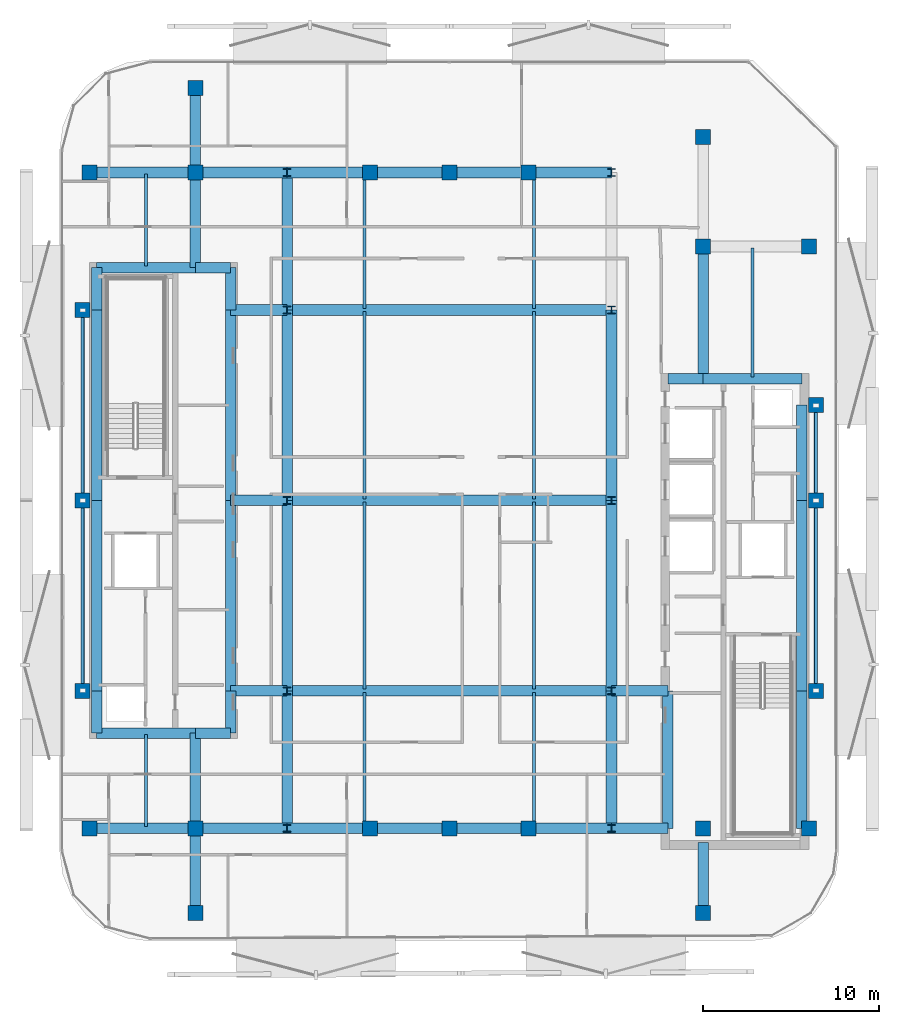
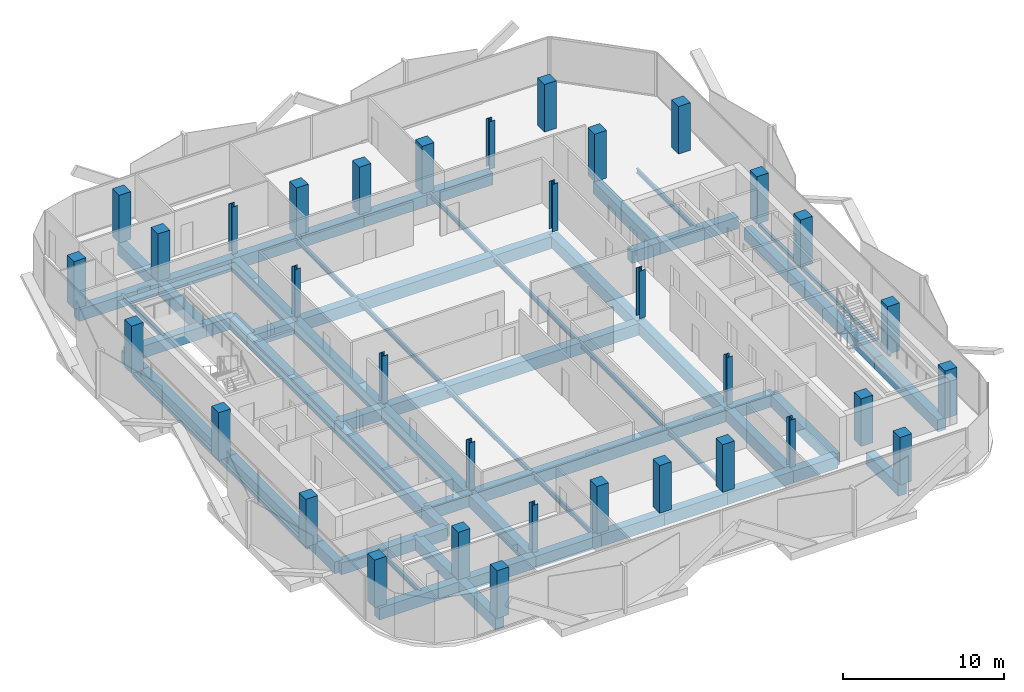
# One storey, part 1 of 14: 66 beams, 34 columns.
"""IFC4 building model written with IfcOpenShell, lengths in metres."""

import ifcopenshell
import ifcopenshell.guid

model = None  # the IFC model being written
_history = None  # IfcOwnerHistory: only IFC2X3 demands one
_inside = {}  # id of a spatial element -> (the spatial element, [elements in it])
_under = {}  # id of a project, library or spatial element -> (it, [spatial elements below it])
_declared = {}  # id of a project -> (the project, [libraries it declares])
_typed = {}  # id of a type object -> (the type object, [elements of that type])
_made_of = {}  # id of a material, layer set ... -> (it, [elements and type objects made of it])


def new_model(schema):
    """Start an empty IFC model of exactly this schema.

    Asked for "IFC4X3", IfcOpenShell would pick the latest addendum, in which some entities
    have other attributes; the version numbers below select the first issue.
    IFC2X3 requires an IfcOwnerHistory on every rooted entity: one is made here for all.
    """
    global model, _history
    if schema == "IFC4X3":
        model = ifcopenshell.file(schema_version=(4, 3, 0, 0))
    else:
        model = ifcopenshell.file(schema=schema)
    _inside.clear()
    _under.clear()
    _declared.clear()
    _typed.clear()
    _made_of.clear()
    _history = None
    if model.schema == "IFC2X3":
        org = make("IfcOrganization", Name="unknown")
        user = make(
            "IfcPersonAndOrganization",
            ThePerson=make("IfcPerson", FamilyName="unknown"),
            TheOrganization=org,
        )
        app = make(
            "IfcApplication",
            ApplicationDeveloper=org,
            Version="unknown",
            ApplicationFullName="unknown",
            ApplicationIdentifier="unknown",
        )
        _history = make(
            "IfcOwnerHistory",
            OwningUser=user,
            OwningApplication=app,
            ChangeAction="ADDED",
            CreationDate=0,
        )
    return model


def make(cls, **values):
    """One entity of the class cls with the attributes given. An attribute that is None is left unset."""
    return model.create_entity(
        cls, **{name: value for name, value in values.items() if value is not None}
    )


def rooted(cls, **values):
    """An entity with a GlobalId (a new one), such as an element, a storey or a relation."""
    return make(cls, GlobalId=ifcopenshell.guid.new(), OwnerHistory=_history, **values)


def si_unit(unit_type, name, prefix=None):
    """IfcSIUnit, for example si_unit("LENGTHUNIT", "METRE", prefix="MILLI")."""
    return make("IfcSIUnit", UnitType=unit_type, Prefix=prefix, Name=name)


def assignment(units):
    """IfcUnitAssignment: the units of a project."""
    return None if units is None else make("IfcUnitAssignment", Units=units)


def point(xyz):
    """IfcCartesianPoint."""
    return None if xyz is None else make("IfcCartesianPoint", Coordinates=xyz)


def direction(xyz):
    """IfcDirection."""
    return None if xyz is None else make("IfcDirection", DirectionRatios=xyz)


def frame(location, z_axis=None, x_axis=None):
    """IfcAxis2Placement3D, a coordinate frame: its origin and axes. An axis left out is left unset."""
    return make(
        "IfcAxis2Placement3D",
        Location=point(location),
        Axis=direction(z_axis),
        RefDirection=direction(x_axis),
    )


def frame_2d(location, x_axis=None):
    """IfcAxis2Placement2D, a coordinate frame in the plane: its origin and x axis."""
    return make(
        "IfcAxis2Placement2D", Location=point(location), RefDirection=direction(x_axis)
    )


def origin():
    """The frame at (0, 0, 0) with its axes left unset."""
    return frame((0.0, 0.0, 0.0))


def origin_2d():
    """The frame at (0, 0) in the plane with its x axis left unset."""
    return frame_2d((0.0, 0.0))


def place(relative_to, where):
    """IfcLocalPlacement: puts the frame where relative to a parent placement (None: the world)."""
    return make(
        "IfcLocalPlacement", PlacementRelTo=relative_to, RelativePlacement=where
    )


def context(
    kind, dimensions, precision=None, world=None, true_north=None, identifier=None
):
    """IfcGeometricRepresentationContext, for example the 3D "Model" context."""
    return make(
        "IfcGeometricRepresentationContext",
        ContextIdentifier=identifier,
        ContextType=kind,
        CoordinateSpaceDimension=dimensions,
        Precision=precision,
        WorldCoordinateSystem=world,
        TrueNorth=true_north,
    )


def subcontext(parent, identifier, kind, view, scale=None):
    """IfcGeometricRepresentationSubContext, for example "Body" below "Model"."""
    return make(
        "IfcGeometricRepresentationSubContext",
        ContextIdentifier=identifier,
        ContextType=kind,
        ParentContext=parent,
        TargetScale=scale,
        TargetView=view,
    )


def project(units=None, contexts=None):
    """IfcProject with its units and contexts."""
    return rooted(
        "IfcProject",
        Name="project",
        RepresentationContexts=contexts,
        UnitsInContext=assignment(units),
    )


def spatial(cls, under=None, at=None, **own):
    """A site, building, storey or space (cls), placed at a placement, below another one or the project."""
    s = rooted(cls, ObjectPlacement=at, **own)
    if under is not None:
        _under.setdefault(under.id(), (under, []))[1].append(s)
    return s


def profile(cls, at=None, kind="AREA", **sizes):
    """A parametric profile (cls). Its sizes go by their IFC names, for example OverallWidth=200.0."""
    return make(cls, ProfileType=kind, Position=at, **sizes)


def rectangle(**sizes):
    """IfcRectangleProfileDef."""
    return profile("IfcRectangleProfileDef", **sizes)


def hollow_rectangle(**sizes):
    """IfcRectangleHollowProfileDef."""
    return profile("IfcRectangleHollowProfileDef", **sizes)


def i_section(**sizes):
    """IfcIShapeProfileDef."""
    return profile("IfcIShapeProfileDef", **sizes)


def extrude(swept, where, along, depth):
    """IfcExtrudedAreaSolid: the profile swept, set in the frame where, extruded along a direction by depth."""
    return make(
        "IfcExtrudedAreaSolid",
        SweptArea=swept,
        Position=where,
        ExtrudedDirection=direction(along),
        Depth=depth,
    )


def shape(context_of_items, identifier, shape_type, items):
    """IfcShapeRepresentation: the items that make up one representation, for example the "Body"."""
    return make(
        "IfcShapeRepresentation",
        ContextOfItems=context_of_items,
        RepresentationIdentifier=identifier,
        RepresentationType=shape_type,
        Items=items,
    )


def material(Name=None, Category=None):
    """IfcMaterial."""
    return make("IfcMaterial", Name=Name, Category=Category)


def material_profile(
    of_material, cross_section, Name=None, Category=None, Priority=None
):
    """IfcMaterialProfile: a cross section and its material."""
    return make(
        "IfcMaterialProfile",
        Name=Name,
        Material=of_material,
        Profile=cross_section,
        Priority=Priority,
        Category=Category,
    )


def profile_set(profiles, Name=None, composite=None):
    """IfcMaterialProfileSet."""
    return make(
        "IfcMaterialProfileSet",
        Name=Name,
        MaterialProfiles=profiles,
        CompositeProfile=composite,
    )


def made_of(thing, what):
    """Note that an element or type object is made of a material, layer set ...; save() writes the relation."""
    if what is not None:
        _made_of.setdefault(what.id(), (what, []))[1].append(thing)
    return thing


def type_object(cls, material=None, **own):
    """A type object (cls), such as IfcWallType, which elements share."""
    return made_of(rooted(cls, **own), material)


def element(
    cls,
    number,
    at=None,
    inside=None,
    cuts=None,
    type_object=None,
    material=None,
    context=None,
    identifier="Body",
    shape_type=None,
    held_by="IfcProductDefinitionShape",
    body=None,
    shapes=None,
    **own,
):
    """One element of the class cls, such as IfcWall. Its Tag is "e" and its number.

    at: its placement. inside: the storey or other place that contains it. cuts: it is an
    opening in that element (IfcRelVoidsElement). A single representation is given by context,
    identifier, shape_type and body (its items); several are given by shapes. held_by: the class
    of the entity that holds the representations. save() writes the other relations.
    """
    e = rooted(cls, Tag="e%d" % number, ObjectPlacement=at, **own)
    if body is not None:
        shapes = [shape(context, identifier, shape_type, body)]
    if shapes is not None:
        e.Representation = make(held_by, Representations=shapes)
    if inside is not None:
        _inside.setdefault(inside.id(), (inside, []))[1].append(e)
    if cuts is not None:
        rooted(
            "IfcRelVoidsElement", RelatingBuildingElement=cuts, RelatedOpeningElement=e
        )
    if type_object is not None:
        _typed.setdefault(type_object.id(), (type_object, []))[1].append(e)
    return made_of(e, material)


def aggregate(whole, parts):
    """IfcRelAggregates: a whole, such as a stair, and the parts it consists of."""
    return rooted("IfcRelAggregates", RelatingObject=whole, RelatedObjects=parts)


def save(model, path):
    """Write the relations noted so far, then the file.

    IfcRelAggregates (storeys below a building ...), IfcRelContainedInSpatialStructure (elements
    in a storey), IfcRelDefinesByType, IfcRelAssociatesMaterial and IfcRelDeclares: one each for
    every whole, place, type object, material and project.
    """
    for whole, parts in _under.values():
        aggregate(whole, parts)
    for where, things in _inside.values():
        rooted(
            "IfcRelContainedInSpatialStructure",
            RelatedElements=things,
            RelatingStructure=where,
        )
    for kind, things in _typed.values():
        rooted("IfcRelDefinesByType", RelatedObjects=things, RelatingType=kind)
    for what, things in _made_of.values():
        rooted("IfcRelAssociatesMaterial", RelatedObjects=things, RelatingMaterial=what)
    for by, libraries in _declared.values():
        rooted("IfcRelDeclares", RelatingContext=by, RelatedDefinitions=libraries)
    model.write(path)


model = new_model("IFC4")

# Units and contexts
model_context = context("Model", 3, precision=1e-05, world=origin(), true_north=direction((0.0, 1.0)))
body_context = subcontext(model_context, "Body", "Model", "MODEL_VIEW")
ifc_project = project(units=[si_unit("LENGTHUNIT", "METRE"), si_unit("AREAUNIT", "SQUARE_METRE"), si_unit("VOLUMEUNIT", "CUBIC_METRE"), si_unit("PLANEANGLEUNIT", "RADIAN"), si_unit("MASSUNIT", "GRAM", prefix="KILO")], contexts=[model_context])

# Site, building, storey
site_placement = place(None, origin())
site = spatial("IfcSite", under=ifc_project, at=site_placement, CompositionType="ELEMENT")
building_placement = place(site_placement, origin())
building = spatial("IfcBuilding", under=site, at=building_placement, Name="Khairoan Windgate Tower", CompositionType="ELEMENT")
storey_placement = place(building_placement, frame((0.0, 0.0, 240.39990234375)))
storey = spatial("IfcBuildingStorey", under=building, at=storey_placement, Name="L56", CompositionType="ELEMENT", Elevation=240.39990234375)

# Columns
ifc_material_1 = material(Name="Concrete C50/60", Category="concrete")
ifc_material_profile_1 = material_profile(ifc_material_1, rectangle(XDim=0.85009765625, YDim=0.85009765625, at=origin_2d()))
ifc_profile_set_1 = profile_set([ifc_material_profile_1], Name="Concrete C50/60")
column_type_1 = type_object("IfcColumnType", Name="Column C-T5 RC850x850", PredefinedType="COLUMN", material=ifc_profile_set_1)
for number, where, z_axis, x_axis, name in (
    (1, (-20.39990234375, -18.60009765625, 0.0), (0.0, 0.0, 1.0), (1.0, 0.0, 0.0), "Column L56-11"),
    (2, (-20.39990234375, 18.60009765625, 0.0), (0.0, 0.0, 1.0), (1.0, 0.0, 0.0), "Column L56-12"),
    (3, (20.39990234375, -18.60009765625, 0.0), (0.0, 0.0, 1.0), (1.0, 0.0, 0.0), "Column L56-13"),
    (4, (20.39990234375, 14.39990234375, 0.0), (0.0, 0.0, 1.0), (1.0, 0.0, 0.0), "Column L56-14"),
    (5, (-14.39990234375, -18.60009765625, 0.0), (0.0, 0.0, 1.0), (1.0, 0.0, 0.0), "Column L56-15"),
    (6, (-14.39990234375, 18.60009765625, 0.0), (0.0, 0.0, 1.0), (1.0, 0.0, 0.0), "Column L56-16"),
    (7, (14.39990234375, -18.60009765625, 0.0), (0.0, 0.0, 1.0), (1.0, 0.0, 0.0), "Column L56-17"),
    (8, (14.39990234375, 14.39990234375, 0.0), (0.0, 0.0, 1.0), (1.0, 0.0, 0.0), "Column L56-18"),
    (9, (-4.5, -18.60009765625, 0.0), (0.0, 0.0, 1.0), (1.0, 0.0, 0.0), "Column L56-19"),
    (10, (0.0, -18.60009765625, 0.0), (0.0, 0.0, 1.0), (1.0, 0.0, 0.0), "Column L56-20"),
    (11, (4.5, -18.60009765625, 0.0), (0.0, 0.0, 1.0), (1.0, 0.0, 0.0), "Column L56-21"),
    (12, (-4.5, 18.60009765625, 0.0), (0.0, 0.0, 1.0), (1.0, 0.0, 0.0), "Column L56-22"),
    (13, (0.0, 18.60009765625, 0.0), (0.0, 0.0, 1.0), (1.0, 0.0, 0.0), "Column L56-23"),
    (14, (4.5, 18.60009765625, 0.0), (0.0, 0.0, 1.0), (1.0, 0.0, 0.0), "Column L56-24"),
    (15, (-20.800048828125, -10.800048828125, 0.0), (0.0, 0.0, 1.0), (1.0, 0.0, 0.0), "Column L56-25"),
    (16, (-20.800048828125, 0.0, 0.0), (0.0, 0.0, 1.0), (1.0, 0.0, 0.0), "Column L56-26"),
    (17, (-20.800048828125, 10.800048828125, 0.0), (0.0, 0.0, 1.0), (1.0, 0.0, 0.0), "Column L56-27"),
    (18, (20.800048828125, -10.800048828125, 0.0), (0.0, 0.0, 1.0), (1.0, 0.0, 0.0), "Column L56-28"),
    (19, (20.800048828125, 0.0, 0.0), (0.0, 0.0, 1.0), (1.0, 0.0, 0.0), "Column L56-29"),
    (20, (20.800048828125, 5.39990234375, 0.0), (0.0, 0.0, 1.0), (1.0, 0.0, 0.0), "Column L56-30"),
    (21, (-14.39990234375, -23.39990234375, 0.0), (0.0, 0.0, 1.0), (1.0, 0.0, 0.0), "Column L56-31"),
    (22, (-14.39990234375, 23.39990234375, 0.0), (0.0, 0.0, 1.0), (1.0, 0.0, 0.0), "Column L56-32"),
    (23, (14.39990234375, -23.39990234375, 0.0), (0.0, 0.0, 1.0), (1.0, 0.0, 0.0), "Column L56-33"),
    (24, (14.39990234375, 20.60009765625, 0.0), (0.0, 0.0, 1.0), (1.0, 0.0, 0.0), "Column L56-34"),
):
    element("IfcColumn", number, at=place(storey_placement, frame(where, z_axis=z_axis, x_axis=x_axis)), inside=storey, type_object=column_type_1, Name=name, PredefinedType="COLUMN", context=body_context, shape_type="SweptSolid", body=[
        extrude(rectangle(XDim=0.85009765625, YDim=0.85009765625, at=origin_2d()), origin(), (0.0, 0.0, 1.0), 3.60009765625),
    ])
ifc_material_2 = material(Name="Steel S355", Category="steel")
ifc_material_profile_2 = material_profile(ifc_material_2, i_section(OverallWidth=0.406982421875, OverallDepth=0.427978515625, WebThickness=0.02001953125, FlangeThickness=0.034912109375, FilletRadius=0.02197265625, at=origin_2d()))
ifc_profile_set_2 = profile_set([ifc_material_profile_2], Name="Steel S355")
column_type_2 = type_object("IfcColumnType", Name="Steel Column SC3 H428x407x20x35", PredefinedType="COLUMN", material=ifc_profile_set_2)
for number, where, z_axis, x_axis, name in (
    (25, (-9.199951171875, -18.60009765625, 0.0), (0.0, 0.0, 1.0), (1.0, 0.0, 0.0), "Column L56-01"),
    (26, (-9.199951171875, -10.800048828125, 0.0), (0.0, 0.0, 1.0), (1.0, 0.0, 0.0), "Column L56-02"),
    (27, (-9.199951171875, 0.0, 0.0), (0.0, 0.0, 1.0), (1.0, 0.0, 0.0), "Column L56-03"),
    (28, (-9.199951171875, 10.800048828125, 0.0), (0.0, 0.0, 1.0), (1.0, 0.0, 0.0), "Column L56-04"),
    (29, (-9.199951171875, 18.60009765625, 0.0), (0.0, 0.0, 1.0), (1.0, 0.0, 0.0), "Column L56-05"),
    (30, (9.199951171875, -18.60009765625, 0.0), (0.0, 0.0, 1.0), (1.0, 0.0, 0.0), "Column L56-06"),
    (31, (9.199951171875, -10.800048828125, 0.0), (0.0, 0.0, 1.0), (1.0, 0.0, 0.0), "Column L56-07"),
    (32, (9.199951171875, 0.0, 0.0), (0.0, 0.0, 1.0), (1.0, 0.0, 0.0), "Column L56-08"),
    (33, (9.199951171875, 10.800048828125, 0.0), (0.0, 0.0, 1.0), (1.0, 0.0, 0.0), "Column L56-09"),
    (34, (9.199951171875, 18.60009765625, 0.0), (0.0, 0.0, 1.0), (1.0, 0.0, 0.0), "Column L56-10"),
):
    element("IfcColumn", number, at=place(storey_placement, frame(where, z_axis=z_axis, x_axis=x_axis)), inside=storey, type_object=column_type_2, Name=name, PredefinedType="COLUMN", context=body_context, shape_type="SweptSolid", body=[
        extrude(i_section(OverallWidth=0.406982421875, OverallDepth=0.427978515625, WebThickness=0.02001953125, FlangeThickness=0.034912109375, FilletRadius=0.02197265625, at=origin_2d()), origin(), (0.0, 0.0, 1.0), 3.60009765625),
    ])

# Beams
ifc_material_3 = material(Name="Concrete C50/60", Category="concrete")
ifc_material_profile_3 = material_profile(ifc_material_3, rectangle(XDim=0.60009765625, YDim=0.89990234375, at=origin_2d()))
ifc_profile_set_3 = profile_set([ifc_material_profile_3], Name="Concrete C50/60")
beam_type_1 = type_object("IfcBeamType", Name="Beam B-RC1 RC600x900", PredefinedType="BEAM", material=ifc_profile_set_3)
beam_1_placement = place(storey_placement, frame((-20.39990234375, -18.60009765625, -0.7099609375), z_axis=(1.0, 0.0, 0.0), x_axis=(0.0, 1.0, 0.0)))
element("IfcBeam", 35, at=beam_1_placement, inside=storey, type_object=beam_type_1, Name="L56 E-W Primary Girder 01", PredefinedType="BEAM", context=body_context, shape_type="SweptSolid", body=[
    extrude(rectangle(XDim=0.60009765625, YDim=0.89990234375, at=origin_2d()), origin(), (0.0, 0.0, 1.0), 6.0),
])
beam_2_placement = place(storey_placement, frame((-14.39990234375, -18.60009765625, -0.7099609375), z_axis=(1.0, 0.0, 0.0), x_axis=(0.0, 1.0, 0.0)))
element("IfcBeam", 36, at=beam_2_placement, inside=storey, type_object=beam_type_1, Name="L56 E-W Primary Girder 02", PredefinedType="BEAM", context=body_context, shape_type="SweptSolid", body=[
    extrude(rectangle(XDim=0.60009765625, YDim=0.89990234375, at=origin_2d()), origin(), (0.0, 0.0, 1.0), 5.199951171875),
])
beam_3_placement = place(storey_placement, frame((-9.199951171875, -18.60009765625, -0.7099609375), z_axis=(1.0, 0.0, 0.0), x_axis=(0.0, 1.0, 0.0)))
element("IfcBeam", 37, at=beam_3_placement, inside=storey, type_object=beam_type_1, Name="L56 E-W Primary Girder 03", PredefinedType="BEAM", context=body_context, shape_type="SweptSolid", body=[
    extrude(rectangle(XDim=0.60009765625, YDim=0.89990234375, at=origin_2d()), origin(), (0.0, 0.0, 1.0), 4.699951171875),
])
for number, where, z_axis, x_axis, name in (
    (38, (-4.5, -18.60009765625, -0.7099609375), (1.0, 0.0, 0.0), (0.0, 1.0, 0.0), "L56 E-W Primary Girder 04"),
    (39, (0.0, -18.60009765625, -0.7099609375), (1.0, 0.0, 0.0), (0.0, 1.0, 0.0), "L56 E-W Primary Girder 05"),
):
    element("IfcBeam", number, at=place(storey_placement, frame(where, z_axis=z_axis, x_axis=x_axis)), inside=storey, type_object=beam_type_1, Name=name, PredefinedType="BEAM", context=body_context, shape_type="SweptSolid", body=[
        extrude(rectangle(XDim=0.60009765625, YDim=0.89990234375, at=origin_2d()), origin(), (0.0, 0.0, 1.0), 4.5),
    ])
beam_4_placement = place(storey_placement, frame((4.5, -18.60009765625, -0.7099609375), z_axis=(1.0, 0.0, 0.0), x_axis=(0.0, 1.0, 0.0)))
element("IfcBeam", 40, at=beam_4_placement, inside=storey, type_object=beam_type_1, Name="L56 E-W Primary Girder 06", PredefinedType="BEAM", context=body_context, shape_type="SweptSolid", body=[
    extrude(rectangle(XDim=0.60009765625, YDim=0.89990234375, at=origin_2d()), origin(), (0.0, 0.0, 1.0), 4.699951171875),
])
beam_5_placement = place(storey_placement, frame((9.199951171875, -18.60009765625, -0.7099609375), z_axis=(1.0, 0.0, 0.0), x_axis=(0.0, 1.0, 0.0)))
element("IfcBeam", 41, at=beam_5_placement, inside=storey, type_object=beam_type_1, Name="L56 E-W Primary Girder 07", PredefinedType="BEAM", context=body_context, shape_type="SweptSolid", body=[
    extrude(rectangle(XDim=0.60009765625, YDim=0.89990234375, at=origin_2d()), origin(), (0.0, 0.0, 1.0), 3.199951171875),
])
beam_6_placement = place(storey_placement, frame((-20.0, -13.199951171875, -0.7099609375), z_axis=(1.0, 0.0, 0.0), x_axis=(0.0, 1.0, 0.0)))
element("IfcBeam", 42, at=beam_6_placement, inside=storey, type_object=beam_type_1, Name="L56 E-W Primary Girder 08", PredefinedType="BEAM", context=body_context, shape_type="SweptSolid", body=[
    extrude(rectangle(XDim=0.60009765625, YDim=0.89990234375, at=origin_2d()), origin(), (0.0, 0.0, 1.0), 5.60009765625),
])
beam_7_placement = place(storey_placement, frame((-14.39990234375, -13.199951171875, -0.7099609375), z_axis=(1.0, 0.0, 0.0), x_axis=(0.0, 1.0, 0.0)))
element("IfcBeam", 43, at=beam_7_placement, inside=storey, type_object=beam_type_1, Name="L56 E-W Primary Girder 09", PredefinedType="BEAM", context=body_context, shape_type="SweptSolid", body=[
    extrude(rectangle(XDim=0.60009765625, YDim=0.89990234375, at=origin_2d()), origin(), (0.0, 0.0, 1.0), 2.0),
])
beam_8_placement = place(storey_placement, frame((-12.39990234375, -10.800048828125, -0.7099609375), z_axis=(1.0, 0.0, 0.0), x_axis=(0.0, 1.0, 0.0)))
element("IfcBeam", 44, at=beam_8_placement, inside=storey, type_object=beam_type_1, Name="L56 E-W Primary Girder 10", PredefinedType="BEAM", context=body_context, shape_type="SweptSolid", body=[
    extrude(rectangle(XDim=0.60009765625, YDim=0.89990234375, at=origin_2d()), origin(), (0.0, 0.0, 1.0), 3.199951171875),
])
beam_9_placement = place(storey_placement, frame((-9.199951171875, -10.800048828125, -0.7099609375), z_axis=(1.0, 0.0, 0.0), x_axis=(0.0, 1.0, 0.0)))
element("IfcBeam", 45, at=beam_9_placement, inside=storey, type_object=beam_type_1, Name="L56 E-W Primary Girder 11", PredefinedType="BEAM", context=body_context, shape_type="SweptSolid", body=[
    extrude(rectangle(XDim=0.60009765625, YDim=0.89990234375, at=origin_2d()), origin(), (0.0, 0.0, 1.0), 18.39990234375),
])
for number, where, z_axis, x_axis, name in (
    (46, (9.199951171875, -10.800048828125, -0.7099609375), (1.0, 0.0, 0.0), (0.0, 1.0, 0.0), "L56 E-W Primary Girder 12"),
    (47, (-12.39990234375, 0.0, -0.7099609375), (1.0, 0.0, 0.0), (0.0, 1.0, 0.0), "L56 E-W Primary Girder 13"),
):
    element("IfcBeam", number, at=place(storey_placement, frame(where, z_axis=z_axis, x_axis=x_axis)), inside=storey, type_object=beam_type_1, Name=name, PredefinedType="BEAM", context=body_context, shape_type="SweptSolid", body=[
        extrude(rectangle(XDim=0.60009765625, YDim=0.89990234375, at=origin_2d()), origin(), (0.0, 0.0, 1.0), 3.199951171875),
    ])
beam_10_placement = place(storey_placement, frame((-9.199951171875, 0.0, -0.7099609375), z_axis=(1.0, 0.0, 0.0), x_axis=(0.0, 1.0, 0.0)))
element("IfcBeam", 48, at=beam_10_placement, inside=storey, type_object=beam_type_1, Name="L56 E-W Primary Girder 14", PredefinedType="BEAM", context=body_context, shape_type="SweptSolid", body=[
    extrude(rectangle(XDim=0.60009765625, YDim=0.89990234375, at=origin_2d()), origin(), (0.0, 0.0, 1.0), 18.39990234375),
])
beam_11_placement = place(storey_placement, frame((12.39990234375, 6.89990234375, -0.7099609375), z_axis=(1.0, 0.0, 0.0), x_axis=(0.0, 1.0, 0.0)))
element("IfcBeam", 49, at=beam_11_placement, inside=storey, type_object=beam_type_1, Name="L56 E-W Primary Girder 15", PredefinedType="BEAM", context=body_context, shape_type="SweptSolid", body=[
    extrude(rectangle(XDim=0.60009765625, YDim=0.89990234375, at=origin_2d()), origin(), (0.0, 0.0, 1.0), 2.0),
])
beam_12_placement = place(storey_placement, frame((14.39990234375, 6.89990234375, -0.7099609375), z_axis=(1.0, 0.0, 0.0), x_axis=(0.0, 1.0, 0.0)))
element("IfcBeam", 50, at=beam_12_placement, inside=storey, type_object=beam_type_1, Name="L56 E-W Primary Girder 16", PredefinedType="BEAM", context=body_context, shape_type="SweptSolid", body=[
    extrude(rectangle(XDim=0.60009765625, YDim=0.89990234375, at=origin_2d()), origin(), (0.0, 0.0, 1.0), 5.60009765625),
])
beam_13_placement = place(storey_placement, frame((-12.39990234375, 10.800048828125, -0.7099609375), z_axis=(1.0, 0.0, 0.0), x_axis=(0.0, 1.0, 0.0)))
element("IfcBeam", 51, at=beam_13_placement, inside=storey, type_object=beam_type_1, Name="L56 E-W Primary Girder 17", PredefinedType="BEAM", context=body_context, shape_type="SweptSolid", body=[
    extrude(rectangle(XDim=0.60009765625, YDim=0.89990234375, at=origin_2d()), origin(), (0.0, 0.0, 1.0), 3.199951171875),
])
beam_14_placement = place(storey_placement, frame((-9.199951171875, 10.800048828125, -0.7099609375), z_axis=(1.0, 0.0, 0.0), x_axis=(0.0, 1.0, 0.0)))
element("IfcBeam", 52, at=beam_14_placement, inside=storey, type_object=beam_type_1, Name="L56 E-W Primary Girder 18", PredefinedType="BEAM", context=body_context, shape_type="SweptSolid", body=[
    extrude(rectangle(XDim=0.60009765625, YDim=0.89990234375, at=origin_2d()), origin(), (0.0, 0.0, 1.0), 18.39990234375),
])
beam_15_placement = place(storey_placement, frame((-20.0, 13.199951171875, -0.7099609375), z_axis=(1.0, 0.0, 0.0), x_axis=(0.0, 1.0, 0.0)))
element("IfcBeam", 53, at=beam_15_placement, inside=storey, type_object=beam_type_1, Name="L56 E-W Primary Girder 19", PredefinedType="BEAM", context=body_context, shape_type="SweptSolid", body=[
    extrude(rectangle(XDim=0.60009765625, YDim=0.89990234375, at=origin_2d()), origin(), (0.0, 0.0, 1.0), 5.60009765625),
])
beam_16_placement = place(storey_placement, frame((-14.39990234375, 13.199951171875, -0.7099609375), z_axis=(1.0, 0.0, 0.0), x_axis=(0.0, 1.0, 0.0)))
element("IfcBeam", 54, at=beam_16_placement, inside=storey, type_object=beam_type_1, Name="L56 E-W Primary Girder 20", PredefinedType="BEAM", context=body_context, shape_type="SweptSolid", body=[
    extrude(rectangle(XDim=0.60009765625, YDim=0.89990234375, at=origin_2d()), origin(), (0.0, 0.0, 1.0), 2.0),
])
beam_17_placement = place(storey_placement, frame((-20.39990234375, 18.60009765625, -0.7099609375), z_axis=(1.0, 0.0, 0.0), x_axis=(0.0, 1.0, 0.0)))
element("IfcBeam", 55, at=beam_17_placement, inside=storey, type_object=beam_type_1, Name="L56 E-W Primary Girder 22", PredefinedType="BEAM", context=body_context, shape_type="SweptSolid", body=[
    extrude(rectangle(XDim=0.60009765625, YDim=0.89990234375, at=origin_2d()), origin(), (0.0, 0.0, 1.0), 6.0),
])
beam_18_placement = place(storey_placement, frame((-14.39990234375, 18.60009765625, -0.7099609375), z_axis=(1.0, 0.0, 0.0), x_axis=(0.0, 1.0, 0.0)))
element("IfcBeam", 56, at=beam_18_placement, inside=storey, type_object=beam_type_1, Name="L56 E-W Primary Girder 23", PredefinedType="BEAM", context=body_context, shape_type="SweptSolid", body=[
    extrude(rectangle(XDim=0.60009765625, YDim=0.89990234375, at=origin_2d()), origin(), (0.0, 0.0, 1.0), 5.199951171875),
])
beam_19_placement = place(storey_placement, frame((-9.199951171875, 18.60009765625, -0.7099609375), z_axis=(1.0, 0.0, 0.0), x_axis=(0.0, 1.0, 0.0)))
element("IfcBeam", 57, at=beam_19_placement, inside=storey, type_object=beam_type_1, Name="L56 E-W Primary Girder 24", PredefinedType="BEAM", context=body_context, shape_type="SweptSolid", body=[
    extrude(rectangle(XDim=0.60009765625, YDim=0.89990234375, at=origin_2d()), origin(), (0.0, 0.0, 1.0), 4.699951171875),
])
for number, where, z_axis, x_axis, name in (
    (58, (-4.5, 18.60009765625, -0.7099609375), (1.0, 0.0, 0.0), (0.0, 1.0, 0.0), "L56 E-W Primary Girder 25"),
    (59, (0.0, 18.60009765625, -0.7099609375), (1.0, 0.0, 0.0), (0.0, 1.0, 0.0), "L56 E-W Primary Girder 26"),
):
    element("IfcBeam", number, at=place(storey_placement, frame(where, z_axis=z_axis, x_axis=x_axis)), inside=storey, type_object=beam_type_1, Name=name, PredefinedType="BEAM", context=body_context, shape_type="SweptSolid", body=[
        extrude(rectangle(XDim=0.60009765625, YDim=0.89990234375, at=origin_2d()), origin(), (0.0, 0.0, 1.0), 4.5),
    ])
beam_20_placement = place(storey_placement, frame((4.5, 18.60009765625, -0.7099609375), z_axis=(1.0, 0.0, 0.0), x_axis=(0.0, 1.0, 0.0)))
element("IfcBeam", 60, at=beam_20_placement, inside=storey, type_object=beam_type_1, Name="L56 E-W Primary Girder 27", PredefinedType="BEAM", context=body_context, shape_type="SweptSolid", body=[
    extrude(rectangle(XDim=0.60009765625, YDim=0.89990234375, at=origin_2d()), origin(), (0.0, 0.0, 1.0), 4.699951171875),
])
beam_21_placement = place(storey_placement, frame((-20.0, -13.199951171875, -0.7099609375), z_axis=(0.0, 1.0, 0.0), x_axis=(-1.0, 0.0, 0.0)))
element("IfcBeam", 61, at=beam_21_placement, inside=storey, type_object=beam_type_1, Name="L56 N-S Primary Beam 30", PredefinedType="BEAM", context=body_context, shape_type="SweptSolid", body=[
    extrude(rectangle(XDim=0.60009765625, YDim=0.89990234375, at=origin_2d()), origin(), (0.0, 0.0, 1.0), 2.39990234375),
])
for number, where, z_axis, x_axis, name in (
    (62, (-20.0, -10.800048828125, -0.7099609375), (0.0, 1.0, 0.0), (-1.0, 0.0, 0.0), "L56 N-S Primary Beam 31"),
    (63, (-20.0, 0.0, -0.7099609375), (0.0, 1.0, 0.0), (-1.0, 0.0, 0.0), "L56 N-S Primary Beam 32"),
):
    element("IfcBeam", number, at=place(storey_placement, frame(where, z_axis=z_axis, x_axis=x_axis)), inside=storey, type_object=beam_type_1, Name=name, PredefinedType="BEAM", context=body_context, shape_type="SweptSolid", body=[
        extrude(rectangle(XDim=0.60009765625, YDim=0.89990234375, at=origin_2d()), origin(), (0.0, 0.0, 1.0), 10.800048828125),
    ])
beam_22_placement = place(storey_placement, frame((-20.0, 10.800048828125, -0.7099609375), z_axis=(0.0, 1.0, 0.0), x_axis=(-1.0, 0.0, 0.0)))
element("IfcBeam", 64, at=beam_22_placement, inside=storey, type_object=beam_type_1, Name="L56 N-S Primary Beam 33", PredefinedType="BEAM", context=body_context, shape_type="SweptSolid", body=[
    extrude(rectangle(XDim=0.60009765625, YDim=0.89990234375, at=origin_2d()), origin(), (0.0, 0.0, 1.0), 2.39990234375),
])
beam_23_placement = place(storey_placement, frame((-14.39990234375, -23.39990234375, -0.7099609375), z_axis=(0.0, 1.0, 0.0), x_axis=(-1.0, 0.0, 0.0)))
element("IfcBeam", 65, at=beam_23_placement, inside=storey, type_object=beam_type_1, Name="L56 N-S Primary Beam 34", PredefinedType="BEAM", context=body_context, shape_type="SweptSolid", body=[
    extrude(rectangle(XDim=0.60009765625, YDim=0.89990234375, at=origin_2d()), origin(), (0.0, 0.0, 1.0), 4.7998046875),
])
for number, where, z_axis, x_axis, name in (
    (66, (-14.39990234375, -18.60009765625, -0.7099609375), (0.0, 1.0, 0.0), (-1.0, 0.0, 0.0), "L56 N-S Primary Beam 35"),
    (67, (-14.39990234375, 13.199951171875, -0.7099609375), (0.0, 1.0, 0.0), (-1.0, 0.0, 0.0), "L56 N-S Primary Beam 36"),
):
    element("IfcBeam", number, at=place(storey_placement, frame(where, z_axis=z_axis, x_axis=x_axis)), inside=storey, type_object=beam_type_1, Name=name, PredefinedType="BEAM", context=body_context, shape_type="SweptSolid", body=[
        extrude(rectangle(XDim=0.60009765625, YDim=0.89990234375, at=origin_2d()), origin(), (0.0, 0.0, 1.0), 5.400146484375),
    ])
beam_24_placement = place(storey_placement, frame((-14.39990234375, 18.60009765625, -0.7099609375), z_axis=(0.0, 1.0, 0.0), x_axis=(-1.0, 0.0, 0.0)))
element("IfcBeam", 68, at=beam_24_placement, inside=storey, type_object=beam_type_1, Name="L56 N-S Primary Beam 37", PredefinedType="BEAM", context=body_context, shape_type="SweptSolid", body=[
    extrude(rectangle(XDim=0.60009765625, YDim=0.89990234375, at=origin_2d()), origin(), (0.0, 0.0, 1.0), 4.7998046875),
])
beam_25_placement = place(storey_placement, frame((-12.39990234375, -13.199951171875, -0.7099609375), z_axis=(0.0, 1.0, 0.0), x_axis=(-1.0, 0.0, 0.0)))
element("IfcBeam", 69, at=beam_25_placement, inside=storey, type_object=beam_type_1, Name="L56 N-S Primary Beam 38", PredefinedType="BEAM", context=body_context, shape_type="SweptSolid", body=[
    extrude(rectangle(XDim=0.60009765625, YDim=0.89990234375, at=origin_2d()), origin(), (0.0, 0.0, 1.0), 2.39990234375),
])
for number, where, z_axis, x_axis, name in (
    (70, (-12.39990234375, -10.800048828125, -0.7099609375), (0.0, 1.0, 0.0), (-1.0, 0.0, 0.0), "L56 N-S Primary Beam 39"),
    (71, (-12.39990234375, 0.0, -0.7099609375), (0.0, 1.0, 0.0), (-1.0, 0.0, 0.0), "L56 N-S Primary Beam 40"),
):
    element("IfcBeam", number, at=place(storey_placement, frame(where, z_axis=z_axis, x_axis=x_axis)), inside=storey, type_object=beam_type_1, Name=name, PredefinedType="BEAM", context=body_context, shape_type="SweptSolid", body=[
        extrude(rectangle(XDim=0.60009765625, YDim=0.89990234375, at=origin_2d()), origin(), (0.0, 0.0, 1.0), 10.800048828125),
    ])
beam_26_placement = place(storey_placement, frame((-12.39990234375, 10.800048828125, -0.7099609375), z_axis=(0.0, 1.0, 0.0), x_axis=(-1.0, 0.0, 0.0)))
element("IfcBeam", 72, at=beam_26_placement, inside=storey, type_object=beam_type_1, Name="L56 N-S Primary Beam 41", PredefinedType="BEAM", context=body_context, shape_type="SweptSolid", body=[
    extrude(rectangle(XDim=0.60009765625, YDim=0.89990234375, at=origin_2d()), origin(), (0.0, 0.0, 1.0), 2.39990234375),
])
beam_27_placement = place(storey_placement, frame((-9.199951171875, -18.60009765625, -0.7099609375), z_axis=(0.0, 1.0, 0.0), x_axis=(-1.0, 0.0, 0.0)))
element("IfcBeam", 73, at=beam_27_placement, inside=storey, type_object=beam_type_1, Name="L56 N-S Primary Beam 42", PredefinedType="BEAM", context=body_context, shape_type="SweptSolid", body=[
    extrude(rectangle(XDim=0.60009765625, YDim=0.89990234375, at=origin_2d()), origin(), (0.0, 0.0, 1.0), 7.800048828125),
])
for number, where, z_axis, x_axis, name in (
    (74, (-9.199951171875, -10.800048828125, -0.7099609375), (0.0, 1.0, 0.0), (-1.0, 0.0, 0.0), "L56 N-S Primary Beam 43"),
    (75, (-9.199951171875, 0.0, -0.7099609375), (0.0, 1.0, 0.0), (-1.0, 0.0, 0.0), "L56 N-S Primary Beam 44"),
):
    element("IfcBeam", number, at=place(storey_placement, frame(where, z_axis=z_axis, x_axis=x_axis)), inside=storey, type_object=beam_type_1, Name=name, PredefinedType="BEAM", context=body_context, shape_type="SweptSolid", body=[
        extrude(rectangle(XDim=0.60009765625, YDim=0.89990234375, at=origin_2d()), origin(), (0.0, 0.0, 1.0), 10.800048828125),
    ])
for number, where, z_axis, x_axis, name in (
    (76, (-9.199951171875, 10.800048828125, -0.7099609375), (0.0, 1.0, 0.0), (-1.0, 0.0, 0.0), "L56 N-S Primary Beam 45"),
    (77, (9.199951171875, -18.60009765625, -0.7099609375), (0.0, 1.0, 0.0), (-1.0, 0.0, 0.0), "L56 N-S Primary Beam 46"),
):
    element("IfcBeam", number, at=place(storey_placement, frame(where, z_axis=z_axis, x_axis=x_axis)), inside=storey, type_object=beam_type_1, Name=name, PredefinedType="BEAM", context=body_context, shape_type="SweptSolid", body=[
        extrude(rectangle(XDim=0.60009765625, YDim=0.89990234375, at=origin_2d()), origin(), (0.0, 0.0, 1.0), 7.800048828125),
    ])
for number, where, z_axis, x_axis, name in (
    (78, (9.199951171875, -10.800048828125, -0.7099609375), (0.0, 1.0, 0.0), (-1.0, 0.0, 0.0), "L56 N-S Primary Beam 47"),
    (79, (9.199951171875, 0.0, -0.7099609375), (0.0, 1.0, 0.0), (-1.0, 0.0, 0.0), "L56 N-S Primary Beam 48"),
):
    element("IfcBeam", number, at=place(storey_placement, frame(where, z_axis=z_axis, x_axis=x_axis)), inside=storey, type_object=beam_type_1, Name=name, PredefinedType="BEAM", context=body_context, shape_type="SweptSolid", body=[
        extrude(rectangle(XDim=0.60009765625, YDim=0.89990234375, at=origin_2d()), origin(), (0.0, 0.0, 1.0), 10.800048828125),
    ])
beam_28_placement = place(storey_placement, frame((12.39990234375, -18.60009765625, -0.7099609375), z_axis=(0.0, 1.0, 0.0), x_axis=(-1.0, 0.0, 0.0)))
element("IfcBeam", 80, at=beam_28_placement, inside=storey, type_object=beam_type_1, Name="L56 N-S Primary Beam 50", PredefinedType="BEAM", context=body_context, shape_type="SweptSolid", body=[
    extrude(rectangle(XDim=0.60009765625, YDim=0.89990234375, at=origin_2d()), origin(), (0.0, 0.0, 1.0), 7.800048828125),
])
beam_29_placement = place(storey_placement, frame((14.39990234375, -23.39990234375, -0.7099609375), z_axis=(0.0, 1.0, 0.0), x_axis=(-1.0, 0.0, 0.0)))
element("IfcBeam", 81, at=beam_29_placement, inside=storey, type_object=beam_type_1, Name="L56 N-S Primary Beam 51", PredefinedType="BEAM", context=body_context, shape_type="SweptSolid", body=[
    extrude(rectangle(XDim=0.60009765625, YDim=0.89990234375, at=origin_2d()), origin(), (0.0, 0.0, 1.0), 4.0),
])
beam_30_placement = place(storey_placement, frame((14.39990234375, 6.89990234375, -0.7099609375), z_axis=(0.0, 1.0, 0.0), x_axis=(-1.0, 0.0, 0.0)))
element("IfcBeam", 82, at=beam_30_placement, inside=storey, type_object=beam_type_1, Name="L56 N-S Primary Beam 52", PredefinedType="BEAM", context=body_context, shape_type="SweptSolid", body=[
    extrude(rectangle(XDim=0.60009765625, YDim=0.89990234375, at=origin_2d()), origin(), (0.0, 0.0, 1.0), 7.5),
])
beam_31_placement = place(storey_placement, frame((20.0, -18.60009765625, -0.7099609375), z_axis=(0.0, 1.0, 0.0), x_axis=(-1.0, 0.0, 0.0)))
element("IfcBeam", 83, at=beam_31_placement, inside=storey, type_object=beam_type_1, Name="L56 N-S Primary Beam 54", PredefinedType="BEAM", context=body_context, shape_type="SweptSolid", body=[
    extrude(rectangle(XDim=0.60009765625, YDim=0.89990234375, at=origin_2d()), origin(), (0.0, 0.0, 1.0), 7.800048828125),
])
beam_32_placement = place(storey_placement, frame((20.0, -10.800048828125, -0.7099609375), z_axis=(0.0, 1.0, 0.0), x_axis=(-1.0, 0.0, 0.0)))
element("IfcBeam", 84, at=beam_32_placement, inside=storey, type_object=beam_type_1, Name="L56 N-S Primary Beam 55", PredefinedType="BEAM", context=body_context, shape_type="SweptSolid", body=[
    extrude(rectangle(XDim=0.60009765625, YDim=0.89990234375, at=origin_2d()), origin(), (0.0, 0.0, 1.0), 10.800048828125),
])
beam_33_placement = place(storey_placement, frame((20.0, 0.0, -0.7099609375), z_axis=(0.0, 1.0, 0.0), x_axis=(-1.0, 0.0, 0.0)))
element("IfcBeam", 85, at=beam_33_placement, inside=storey, type_object=beam_type_1, Name="L56 N-S Primary Beam 56", PredefinedType="BEAM", context=body_context, shape_type="SweptSolid", body=[
    extrude(rectangle(XDim=0.60009765625, YDim=0.89990234375, at=origin_2d()), origin(), (0.0, 0.0, 1.0), 5.39990234375),
])
ifc_material_4 = material(Name="Steel S355", Category="steel")
ifc_material_profile_4 = material_profile(ifc_material_4, i_section(OverallWidth=0.175048828125, OverallDepth=0.35009765625, WebThickness=0.007080078125, FlangeThickness=0.010986328125, FilletRadius=0.013916015625, at=origin_2d()))
ifc_profile_set_4 = profile_set([ifc_material_profile_4], Name="Steel S355")
beam_type_2 = type_object("IfcBeamType", Name="Beam J-S5 H350x175x7x11", PredefinedType="JOIST", material=ifc_profile_set_4)
for number, where, z_axis, x_axis, name in (
    (86, (-17.199951171875, -18.510009765625, -0.434814453125), (0.0, 1.0, 0.0), (-1.0, 0.0, 0.0), "L56 Secondary Floor Joist 01"),
    (87, (-17.199951171875, 13.2900390625, -0.434814453125), (0.0, 1.0, 0.0), (-1.0, 0.0, 0.0), "L56 Secondary Floor Joist 02"),
):
    element("IfcBeam", number, at=place(storey_placement, frame(where, z_axis=z_axis, x_axis=x_axis)), inside=storey, type_object=beam_type_2, Name=name, PredefinedType="JOIST", context=body_context, shape_type="SweptSolid", body=[
        extrude(i_section(OverallWidth=0.175048828125, OverallDepth=0.35009765625, WebThickness=0.007080078125, FlangeThickness=0.010986328125, FilletRadius=0.013916015625, at=origin_2d()), origin(), (0.0, 0.0, 1.0), 5.219970703125),
    ])
beam_34_placement = place(storey_placement, frame((-4.800048828125, -18.510009765625, -0.434814453125), z_axis=(0.0, 1.0, 0.0), x_axis=(-1.0, 0.0, 0.0)))
element("IfcBeam", 88, at=beam_34_placement, inside=storey, type_object=beam_type_2, Name="L56 Secondary Floor Joist 03", PredefinedType="JOIST", context=body_context, shape_type="SweptSolid", body=[
    extrude(i_section(OverallWidth=0.175048828125, OverallDepth=0.35009765625, WebThickness=0.007080078125, FlangeThickness=0.010986328125, FilletRadius=0.013916015625, at=origin_2d()), origin(), (0.0, 0.0, 1.0), 7.6201171875),
])
for number, where, z_axis, x_axis, name in (
    (89, (-4.800048828125, -10.7099609375, -0.434814453125), (0.0, 1.0, 0.0), (-1.0, 0.0, 0.0), "L56 Secondary Floor Joist 04"),
    (90, (-4.800048828125, 0.090087890625, -0.434814453125), (0.0, 1.0, 0.0), (-1.0, 0.0, 0.0), "L56 Secondary Floor Joist 05"),
):
    element("IfcBeam", number, at=place(storey_placement, frame(where, z_axis=z_axis, x_axis=x_axis)), inside=storey, type_object=beam_type_2, Name=name, PredefinedType="JOIST", context=body_context, shape_type="SweptSolid", body=[
        extrude(i_section(OverallWidth=0.175048828125, OverallDepth=0.35009765625, WebThickness=0.007080078125, FlangeThickness=0.010986328125, FilletRadius=0.013916015625, at=origin_2d()), origin(), (0.0, 0.0, 1.0), 10.619873046875),
    ])
for number, where, z_axis, x_axis, name in (
    (91, (-4.800048828125, 10.889892578125, -0.434814453125), (0.0, 1.0, 0.0), (-1.0, 0.0, 0.0), "L56 Secondary Floor Joist 06"),
    (92, (4.800048828125, -18.510009765625, -0.434814453125), (0.0, 1.0, 0.0), (-1.0, 0.0, 0.0), "L56 Secondary Floor Joist 07"),
):
    element("IfcBeam", number, at=place(storey_placement, frame(where, z_axis=z_axis, x_axis=x_axis)), inside=storey, type_object=beam_type_2, Name=name, PredefinedType="JOIST", context=body_context, shape_type="SweptSolid", body=[
        extrude(i_section(OverallWidth=0.175048828125, OverallDepth=0.35009765625, WebThickness=0.007080078125, FlangeThickness=0.010986328125, FilletRadius=0.013916015625, at=origin_2d()), origin(), (0.0, 0.0, 1.0), 7.6201171875),
    ])
for number, where, z_axis, x_axis, name in (
    (93, (4.800048828125, -10.7099609375, -0.434814453125), (0.0, 1.0, 0.0), (-1.0, 0.0, 0.0), "L56 Secondary Floor Joist 08"),
    (94, (4.800048828125, 0.090087890625, -0.434814453125), (0.0, 1.0, 0.0), (-1.0, 0.0, 0.0), "L56 Secondary Floor Joist 09"),
):
    element("IfcBeam", number, at=place(storey_placement, frame(where, z_axis=z_axis, x_axis=x_axis)), inside=storey, type_object=beam_type_2, Name=name, PredefinedType="JOIST", context=body_context, shape_type="SweptSolid", body=[
        extrude(i_section(OverallWidth=0.175048828125, OverallDepth=0.35009765625, WebThickness=0.007080078125, FlangeThickness=0.010986328125, FilletRadius=0.013916015625, at=origin_2d()), origin(), (0.0, 0.0, 1.0), 10.619873046875),
    ])
beam_35_placement = place(storey_placement, frame((4.800048828125, 10.889892578125, -0.434814453125), z_axis=(0.0, 1.0, 0.0), x_axis=(-1.0, 0.0, 0.0)))
element("IfcBeam", 95, at=beam_35_placement, inside=storey, type_object=beam_type_2, Name="L56 Secondary Floor Joist 10", PredefinedType="JOIST", context=body_context, shape_type="SweptSolid", body=[
    extrude(i_section(OverallWidth=0.175048828125, OverallDepth=0.35009765625, WebThickness=0.007080078125, FlangeThickness=0.010986328125, FilletRadius=0.013916015625, at=origin_2d()), origin(), (0.0, 0.0, 1.0), 7.6201171875),
])
beam_36_placement = place(storey_placement, frame((17.199951171875, 6.989990234375, -0.434814453125), z_axis=(0.0, 1.0, 0.0), x_axis=(-1.0, 0.0, 0.0)))
element("IfcBeam", 96, at=beam_36_placement, inside=storey, type_object=beam_type_2, Name="L56 Secondary Floor Joist 11", PredefinedType="JOIST", context=body_context, shape_type="SweptSolid", body=[
    extrude(i_section(OverallWidth=0.175048828125, OverallDepth=0.35009765625, WebThickness=0.007080078125, FlangeThickness=0.010986328125, FilletRadius=0.013916015625, at=origin_2d()), origin(), (0.0, 0.0, 1.0), 7.320068359375),
])
ifc_material_5 = material(Name="Steel S355", Category="steel")
ifc_material_profile_5 = material_profile(ifc_material_5, hollow_rectangle(XDim=0.199951171875, YDim=0.300048828125, WallThickness=0.012451171875, InnerFilletRadius=0.012451171875, OuterFilletRadius=0.02490234375, at=origin_2d()))
ifc_profile_set_5 = profile_set([ifc_material_profile_5], Name="Steel S355")
beam_type_3 = type_object("IfcBeamType", Name="Beam SP-B3 RHS300x200x12.5", PredefinedType="SPANDREL", material=ifc_profile_set_5)
for number, where, z_axis, x_axis, name in (
    (97, (-20.800048828125, -10.800048828125, -0.409912109375), (0.0, 1.0, 0.0), (-1.0, 0.0, 0.0), "L56 Spandrel Beam 28"),
    (98, (-20.800048828125, 0.0, -0.409912109375), (0.0, 1.0, 0.0), (-1.0, 0.0, 0.0), "L56 Spandrel Beam 29"),
    (99, (20.800048828125, -10.800048828125, -0.409912109375), (0.0, 1.0, 0.0), (-1.0, 0.0, 0.0), "L56 Spandrel Beam 57"),
):
    element("IfcBeam", number, at=place(storey_placement, frame(where, z_axis=z_axis, x_axis=x_axis)), inside=storey, type_object=beam_type_3, Name=name, PredefinedType="SPANDREL", context=body_context, shape_type="SweptSolid", body=[
        extrude(hollow_rectangle(XDim=0.199951171875, YDim=0.300048828125, WallThickness=0.012451171875, InnerFilletRadius=0.012451171875, OuterFilletRadius=0.02490234375, at=origin_2d()), origin(), (0.0, 0.0, 1.0), 10.800048828125),
    ])
beam_37_placement = place(storey_placement, frame((20.800048828125, 0.0, -0.409912109375), z_axis=(0.0, 1.0, 0.0), x_axis=(-1.0, 0.0, 0.0)))
element("IfcBeam", 100, at=beam_37_placement, inside=storey, type_object=beam_type_3, Name="L56 Spandrel Beam 58", PredefinedType="SPANDREL", context=body_context, shape_type="SweptSolid", body=[
    extrude(hollow_rectangle(XDim=0.199951171875, YDim=0.300048828125, WallThickness=0.012451171875, InnerFilletRadius=0.012451171875, OuterFilletRadius=0.02490234375, at=origin_2d()), origin(), (0.0, 0.0, 1.0), 5.39990234375),
])

save(model, "model.ifc")
